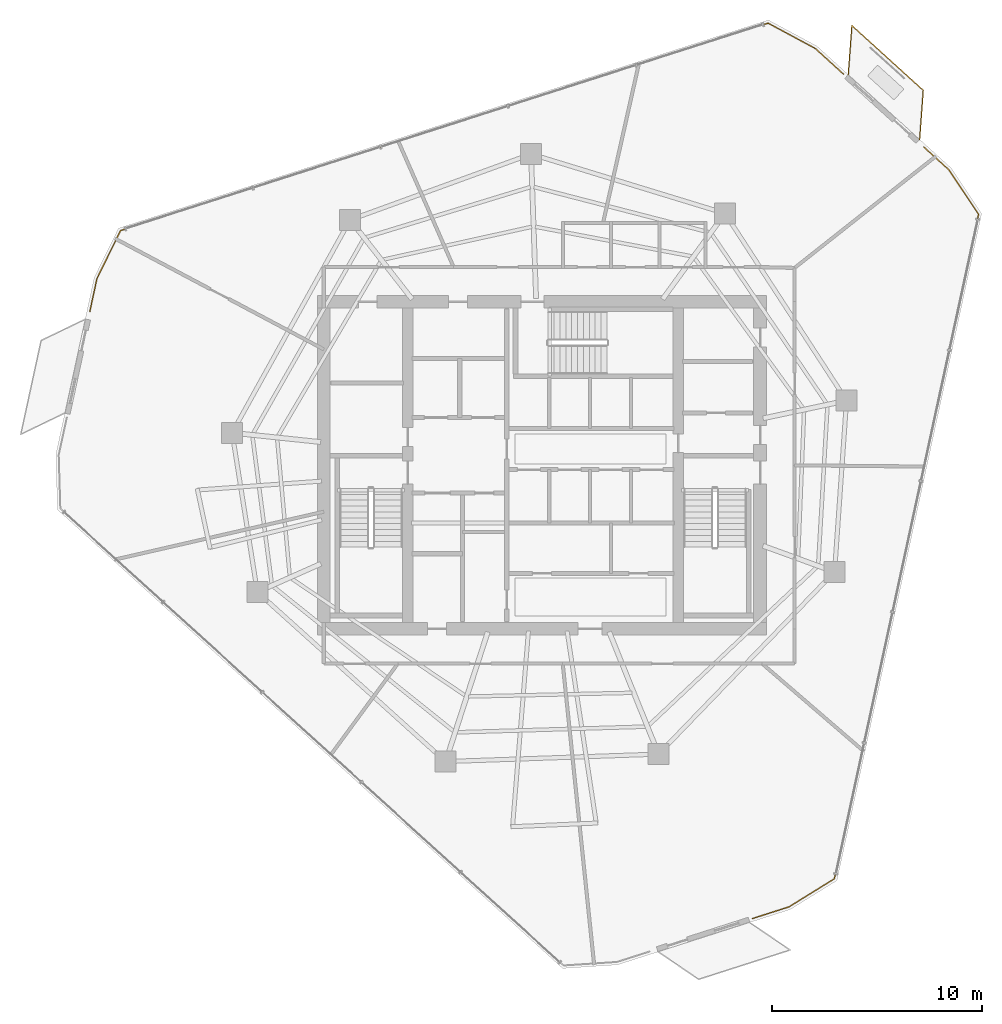
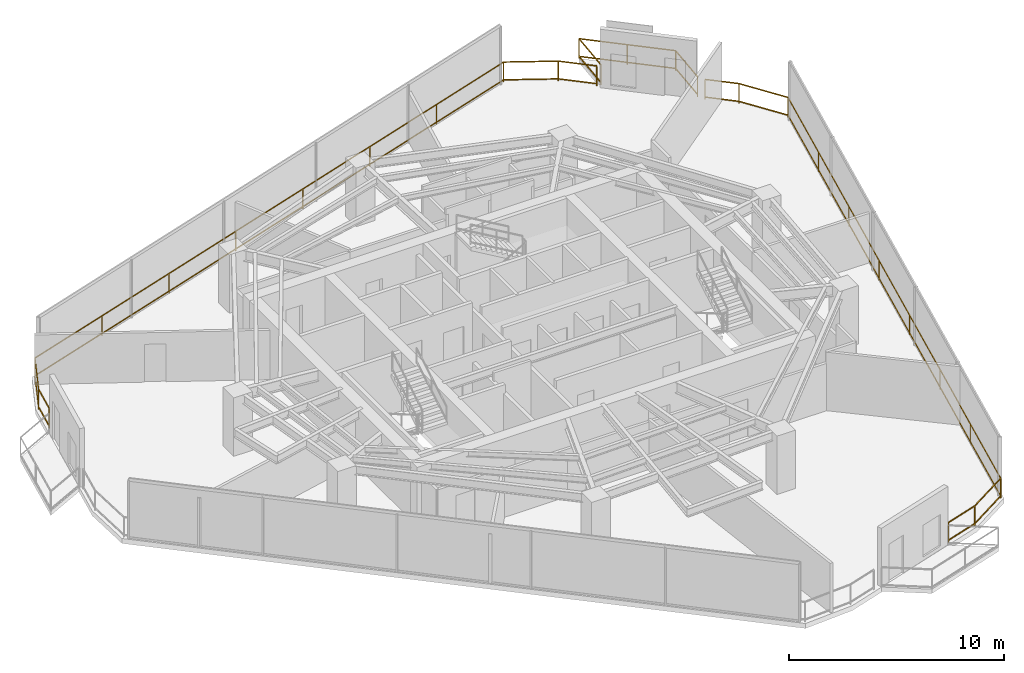
# One storey, part 21 of 21: 4 railings.
"""IFC4 building model written with IfcOpenShell, lengths in metres."""

from ifc_helpers import new_model, si_unit, direction, frame, origin, origin_2d, place, context, subcontext, project, spatial, rectangle, extrude, material, type_object, element, save


model = new_model("IFC4")

# Units and contexts
model_context = context("Model", 3, precision=1e-05, world=origin(), true_north=direction((0.0, 1.0)))
body_context = subcontext(model_context, "Body", "Model", "MODEL_VIEW")
ifc_project = project(units=[si_unit("LENGTHUNIT", "METRE"), si_unit("AREAUNIT", "SQUARE_METRE"), si_unit("VOLUMEUNIT", "CUBIC_METRE"), si_unit("PLANEANGLEUNIT", "RADIAN"), si_unit("MASSUNIT", "GRAM", prefix="KILO")], contexts=[model_context])

# Site, building, storey
site_placement = place(None, origin())
site = spatial("IfcSite", under=ifc_project, at=site_placement, CompositionType="ELEMENT")
building_placement = place(site_placement, origin())
building = spatial("IfcBuilding", under=site, at=building_placement, Name="Qarnah Convention Tower", CompositionType="ELEMENT")
storey_placement = place(building_placement, frame((0.0, 0.0, 132.89990234375)))
storey = spatial("IfcBuildingStorey", under=building, at=storey_placement, Name="L35", CompositionType="ELEMENT", Elevation=132.89990234375)

# Railings
ifc_material = material(Name="Black anodised aluminium", Category="aluminium")
railing_type = type_object("IfcRailingType", Name="RL-EXT-GUARD-1150", PredefinedType="GUARDRAIL", material=ifc_material)
railing_1_placement = place(storey_placement, frame((50.23095703125, 46.27587890625, 0.0)))
element("IfcRailing", 1, at=railing_1_placement, inside=storey, type_object=railing_type, Name="L35 slab-edge perimeter safety guard 01", PredefinedType="GUARDRAIL", context=body_context, shape_type="SweptSolid", body=[
    extrude(rectangle(XDim=0.048095703125, YDim=0.048095703125, at=origin_2d()), frame((0.0, 0.0, 1.1259765625), z_axis=(0.740169343801, -0.67242051017, 0.0), x_axis=(0.67242051017, 0.740169343801, 0.0)), (0.0, 0.0, 1.0), 1.83056640625),
    extrude(rectangle(XDim=0.048095703125, YDim=0.048095703125, at=origin_2d()), frame((0.0, 0.0, 0.1201171875), z_axis=(0.740169343801, -0.67242051017, 0.0), x_axis=(0.67242051017, 0.740169343801, 0.0)), (0.0, 0.0, 1.0), 1.83056640625),
    extrude(rectangle(XDim=0.0419921875, YDim=0.0419921875, at=origin_2d()), origin(), (0.0, 0.0, 1.0), 1.101806640625),
    extrude(rectangle(XDim=0.0419921875, YDim=0.0419921875, at=origin_2d()), frame((1.35498046875, -1.23095703125, 0.0)), (0.0, 0.0, 1.0), 1.101806640625),
])
railing_2_placement = place(storey_placement, frame((55.405029296875, 41.576904296875, 0.0)))
element("IfcRailing", 2, at=railing_2_placement, inside=storey, type_object=railing_type, Name="L35 slab-edge perimeter safety guard 02", PredefinedType="GUARDRAIL", context=body_context, shape_type="SweptSolid", body=[
    extrude(rectangle(XDim=0.048095703125, YDim=0.048095703125, at=origin_2d()), frame((0.0, 0.0, 1.1259765625), z_axis=(0.74030859869, -0.672267192941, 0.0), x_axis=(0.672267192941, 0.74030859869, 0.0)), (0.0, 0.0, 1.0), 1.6181640625),
    extrude(rectangle(XDim=0.048095703125, YDim=0.048095703125, at=origin_2d()), frame((0.0, 0.0, 0.1201171875), z_axis=(0.74030859869, -0.672267192941, 0.0), x_axis=(0.672267192941, 0.74030859869, 0.0)), (0.0, 0.0, 1.0), 1.6181640625),
    extrude(rectangle(XDim=0.048095703125, YDim=0.048095703125, at=origin_2d()), frame((1.197998046875, -1.087890625, 1.1259765625), z_axis=(0.55580542013, -0.831312417178, 0.0), x_axis=(0.831312417178, 0.55580542013, 0.0)), (0.0, 0.0, 1.0), 2.547607421875),
    extrude(rectangle(XDim=0.048095703125, YDim=0.048095703125, at=origin_2d()), frame((1.197998046875, -1.087890625, 0.1201171875), z_axis=(0.55580542013, -0.831312417178, 0.0), x_axis=(0.831312417178, 0.55580542013, 0.0)), (0.0, 0.0, 1.0), 2.547607421875),
    extrude(rectangle(XDim=0.048095703125, YDim=0.048095703125, at=origin_2d()), frame((2.614013671875, -3.205810546875, 1.1259765625), z_axis=(-0.212012538423, -0.977266945901, 0.0), x_axis=(0.977266945901, -0.212012538423, 0.0)), (0.0, 0.0, 1.0), 32.418212890625),
    extrude(rectangle(XDim=0.048095703125, YDim=0.048095703125, at=origin_2d()), frame((2.614013671875, -3.205810546875, 0.1201171875), z_axis=(-0.212012538423, -0.977266945901, 0.0), x_axis=(0.977266945901, -0.212012538423, 0.0)), (0.0, 0.0, 1.0), 32.418212890625),
    extrude(rectangle(XDim=0.048095703125, YDim=0.048095703125, at=origin_2d()), frame((-4.259033203125, -34.886962890625, 1.1259765625), z_axis=(-0.850273316369, -0.526341417211, 0.0), x_axis=(0.526341417211, -0.850273316369, 0.0)), (0.0, 0.0, 1.0), 2.54736328125),
    extrude(rectangle(XDim=0.048095703125, YDim=0.048095703125, at=origin_2d()), frame((-4.259033203125, -34.886962890625, 0.1201171875), z_axis=(-0.850273316369, -0.526341417211, 0.0), x_axis=(0.526341417211, -0.850273316369, 0.0)), (0.0, 0.0, 1.0), 2.54736328125),
    extrude(rectangle(XDim=0.048095703125, YDim=0.048095703125, at=origin_2d()), frame((-6.425048828125, -36.227783203125, 1.1259765625), z_axis=(-0.952365269401, -0.304959659035, 0.0), x_axis=(0.304959659035, -0.952365269401, 0.0)), (0.0, 0.0, 1.0), 1.830078125),
    extrude(rectangle(XDim=0.048095703125, YDim=0.048095703125, at=origin_2d()), frame((-6.425048828125, -36.227783203125, 0.1201171875), z_axis=(-0.952365269401, -0.304959659035, 0.0), x_axis=(0.304959659035, -0.952365269401, 0.0)), (0.0, 0.0, 1.0), 1.830078125),
    extrude(rectangle(XDim=0.0419921875, YDim=0.0419921875, at=origin_2d()), origin(), (0.0, 0.0, 1.0), 1.101806640625),
    extrude(rectangle(XDim=0.0419921875, YDim=0.0419921875, at=origin_2d()), frame((1.197998046875, -1.087890625, 0.0)), (0.0, 0.0, 1.0), 1.101806640625),
    extrude(rectangle(XDim=0.0419921875, YDim=0.0419921875, at=origin_2d()), frame((2.614013671875, -3.205810546875, 0.0)), (0.0, 0.0, 1.0), 1.101806640625),
    extrude(rectangle(XDim=0.0419921875, YDim=0.0419921875, at=origin_2d()), frame((1.632080078125, -7.731689453125, 0.0)), (0.0, 0.0, 1.0), 1.101806640625),
    extrude(rectangle(XDim=0.0419921875, YDim=0.0419921875, at=origin_2d()), frame((0.650390625, -12.257568359375, 0.0)), (0.0, 0.0, 1.0), 1.101806640625),
    extrude(rectangle(XDim=0.0419921875, YDim=0.0419921875, at=origin_2d()), frame((-0.33154296875, -16.783447265625, 0.0)), (0.0, 0.0, 1.0), 1.101806640625),
    extrude(rectangle(XDim=0.0419921875, YDim=0.0419921875, at=origin_2d()), frame((-1.3134765625, -21.309326171875, 0.0)), (0.0, 0.0, 1.0), 1.101806640625),
    extrude(rectangle(XDim=0.0419921875, YDim=0.0419921875, at=origin_2d()), frame((-2.29541015625, -25.835205078125, 0.0)), (0.0, 0.0, 1.0), 1.101806640625),
    extrude(rectangle(XDim=0.0419921875, YDim=0.0419921875, at=origin_2d()), frame((-3.277099609375, -30.361083984375, 0.0)), (0.0, 0.0, 1.0), 1.101806640625),
    extrude(rectangle(XDim=0.0419921875, YDim=0.0419921875, at=origin_2d()), frame((-4.259033203125, -34.886962890625, 0.0)), (0.0, 0.0, 1.0), 1.101806640625),
    extrude(rectangle(XDim=0.0419921875, YDim=0.0419921875, at=origin_2d()), frame((-6.425048828125, -36.227783203125, 0.0)), (0.0, 0.0, 1.0), 1.101806640625),
    extrude(rectangle(XDim=0.0419921875, YDim=0.0419921875, at=origin_2d()), frame((-8.16796875, -36.785888671875, 0.0)), (0.0, 0.0, 1.0), 1.101806640625),
])
railing_3_placement = place(storey_placement, frame((15.64404296875, 33.72412109375, 0.0)))
element("IfcRailing", 3, at=railing_3_placement, inside=storey, type_object=railing_type, Name="L35 slab-edge perimeter safety guard 04", PredefinedType="GUARDRAIL", context=body_context, shape_type="SweptSolid", body=[
    extrude(rectangle(XDim=0.048095703125, YDim=0.048095703125, at=origin_2d()), frame((0.0, 0.0, 1.1259765625), z_axis=(0.211647830509, 0.977345995971, 0.0), x_axis=(-0.977345995971, 0.211647830509, 0.0)), (0.0, 0.0, 1.0), 1.62060546875),
    extrude(rectangle(XDim=0.048095703125, YDim=0.048095703125, at=origin_2d()), frame((0.0, 0.0, 0.1201171875), z_axis=(0.211647830509, 0.977345995971, 0.0), x_axis=(-0.977345995971, 0.211647830509, 0.0)), (0.0, 0.0, 1.0), 1.62060546875),
    extrude(rectangle(XDim=0.048095703125, YDim=0.048095703125, at=origin_2d()), frame((0.343017578125, 1.583984375, 1.1259765625), z_axis=(0.442182609903, 0.896925046757, 0.0), x_axis=(-0.896925046757, 0.442182609903, 0.0)), (0.0, 0.0, 1.0), 2.54638671875),
    extrude(rectangle(XDim=0.048095703125, YDim=0.048095703125, at=origin_2d()), frame((0.343017578125, 1.583984375, 0.1201171875), z_axis=(0.442182609903, 0.896925046757, 0.0), x_axis=(-0.896925046757, 0.442182609903, 0.0)), (0.0, 0.0, 1.0), 2.54638671875),
    extrude(rectangle(XDim=0.048095703125, YDim=0.048095703125, at=origin_2d()), frame((1.468994140625, 3.867919921875, 1.1259765625), z_axis=(0.952341481368, 0.305033937236, 0.0), x_axis=(-0.305033937236, 0.952341481368, 0.0)), (0.0, 0.0, 1.0), 32.419189453125),
    extrude(rectangle(XDim=0.048095703125, YDim=0.048095703125, at=origin_2d()), frame((1.468994140625, 3.867919921875, 0.1201171875), z_axis=(0.952341481368, 0.305033937236, 0.0), x_axis=(-0.305033937236, 0.952341481368, 0.0)), (0.0, 0.0, 1.0), 32.419189453125),
    extrude(rectangle(XDim=0.048095703125, YDim=0.048095703125, at=origin_2d()), frame((32.343017578125, 13.7568359375, 1.1259765625), z_axis=(0.880990729837, -0.473133526545, 0.0), x_axis=(0.473133526545, 0.880990729837, 0.0)), (0.0, 0.0, 1.0), 2.547119140625),
    extrude(rectangle(XDim=0.048095703125, YDim=0.048095703125, at=origin_2d()), frame((32.343017578125, 13.7568359375, 0.1201171875), z_axis=(0.880990729837, -0.473133526545, 0.0), x_axis=(0.473133526545, 0.880990729837, 0.0)), (0.0, 0.0, 1.0), 2.547119140625),
    extrude(rectangle(XDim=0.0419921875, YDim=0.0419921875, at=origin_2d()), origin(), (0.0, 0.0, 1.0), 1.101806640625),
    extrude(rectangle(XDim=0.0419921875, YDim=0.0419921875, at=origin_2d()), frame((0.343017578125, 1.583984375, 0.0)), (0.0, 0.0, 1.0), 1.101806640625),
    extrude(rectangle(XDim=0.0419921875, YDim=0.0419921875, at=origin_2d()), frame((1.468994140625, 3.867919921875, 0.0)), (0.0, 0.0, 1.0), 1.101806640625),
    extrude(rectangle(XDim=0.0419921875, YDim=0.0419921875, at=origin_2d()), frame((5.879638671875, 5.280517578125, 0.0)), (0.0, 0.0, 1.0), 1.101806640625),
    extrude(rectangle(XDim=0.0419921875, YDim=0.0419921875, at=origin_2d()), frame((10.2900390625, 6.693359375, 0.0)), (0.0, 0.0, 1.0), 1.101806640625),
    extrude(rectangle(XDim=0.0419921875, YDim=0.0419921875, at=origin_2d()), frame((14.70068359375, 8.10595703125, 0.0)), (0.0, 0.0, 1.0), 1.101806640625),
    extrude(rectangle(XDim=0.0419921875, YDim=0.0419921875, at=origin_2d()), frame((19.111328125, 9.518798828125, 0.0)), (0.0, 0.0, 1.0), 1.101806640625),
    extrude(rectangle(XDim=0.0419921875, YDim=0.0419921875, at=origin_2d()), frame((23.52197265625, 10.931396484375, 0.0)), (0.0, 0.0, 1.0), 1.101806640625),
    extrude(rectangle(XDim=0.0419921875, YDim=0.0419921875, at=origin_2d()), frame((27.932373046875, 12.34423828125, 0.0)), (0.0, 0.0, 1.0), 1.101806640625),
    extrude(rectangle(XDim=0.0419921875, YDim=0.0419921875, at=origin_2d()), frame((32.343017578125, 13.7568359375, 0.0)), (0.0, 0.0, 1.0), 1.101806640625),
    extrude(rectangle(XDim=0.0419921875, YDim=0.0419921875, at=origin_2d()), frame((34.5869140625, 12.5517578125, 0.0)), (0.0, 0.0, 1.0), 1.101806640625),
])
railing_4_placement = place(storey_placement, frame((51.804931640625, 45.028076171875, 0.0)))
element("IfcRailing", 4, at=railing_4_placement, inside=storey, type_object=railing_type, Name="L35 balcony safety guard BAL-L35-C1", PredefinedType="GUARDRAIL", context=body_context, shape_type="SweptSolid", body=[
    extrude(rectangle(XDim=0.048095703125, YDim=0.048095703125, at=origin_2d()), frame((0.0, 0.0, 1.1259765625), z_axis=(0.074159022072, 0.997246428645, 0.0), x_axis=(-0.997246428645, 0.074159022072, 0.0)), (0.0, 0.0, 1.0), 2.34716796875),
    extrude(rectangle(XDim=0.048095703125, YDim=0.048095703125, at=origin_2d()), frame((0.0, 0.0, 0.1201171875), z_axis=(0.074159022072, 0.997246428645, 0.0), x_axis=(-0.997246428645, 0.074159022072, 0.0)), (0.0, 0.0, 1.0), 2.34716796875),
    extrude(rectangle(XDim=0.048095703125, YDim=0.048095703125, at=origin_2d()), frame((0.174072265625, 2.3408203125, 1.1259765625), z_axis=(0.740338661045, -0.672234086433, 0.0), x_axis=(0.672234086433, 0.740338661045, 0.0)), (0.0, 0.0, 1.0), 4.599365234375),
    extrude(rectangle(XDim=0.048095703125, YDim=0.048095703125, at=origin_2d()), frame((0.174072265625, 2.3408203125, 0.1201171875), z_axis=(0.740338661045, -0.672234086433, 0.0), x_axis=(0.672234086433, 0.740338661045, 0.0)), (0.0, 0.0, 1.0), 4.599365234375),
    extrude(rectangle(XDim=0.048095703125, YDim=0.048095703125, at=origin_2d()), frame((3.5791015625, -0.7509765625, 1.1259765625), z_axis=(-0.073737602806, -0.997277677446, 0.0), x_axis=(0.997277677446, -0.073737602806, 0.0)), (0.0, 0.0, 1.0), 2.347412109375),
    extrude(rectangle(XDim=0.048095703125, YDim=0.048095703125, at=origin_2d()), frame((3.5791015625, -0.7509765625, 0.1201171875), z_axis=(-0.073737602806, -0.997277677446, 0.0), x_axis=(0.997277677446, -0.073737602806, 0.0)), (0.0, 0.0, 1.0), 2.347412109375),
    extrude(rectangle(XDim=0.0419921875, YDim=0.0419921875, at=origin_2d()), origin(), (0.0, 0.0, 1.0), 1.101806640625),
    extrude(rectangle(XDim=0.0419921875, YDim=0.0419921875, at=origin_2d()), frame((0.174072265625, 2.3408203125, 0.0)), (0.0, 0.0, 1.0), 1.101806640625),
    extrude(rectangle(XDim=0.0419921875, YDim=0.0419921875, at=origin_2d()), frame((1.87646484375, 0.794921875, 0.0)), (0.0, 0.0, 1.0), 1.101806640625),
    extrude(rectangle(XDim=0.0419921875, YDim=0.0419921875, at=origin_2d()), frame((3.5791015625, -0.7509765625, 0.0)), (0.0, 0.0, 1.0), 1.101806640625),
    extrude(rectangle(XDim=0.0419921875, YDim=0.0419921875, at=origin_2d()), frame((3.406005859375, -3.092041015625, 0.0)), (0.0, 0.0, 1.0), 1.101806640625),
])

save(model, "model.ifc")
